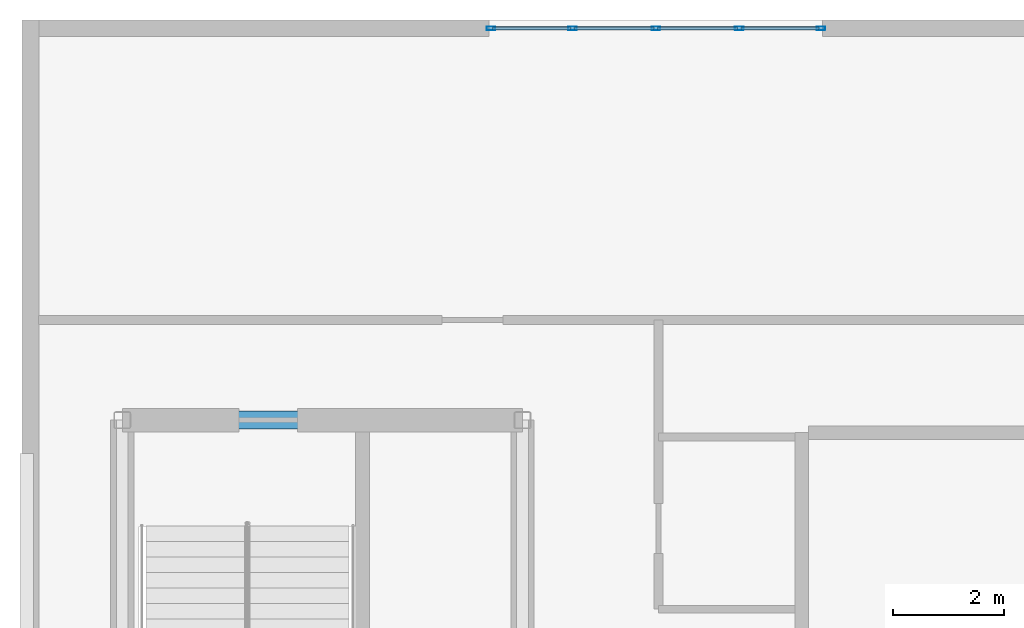
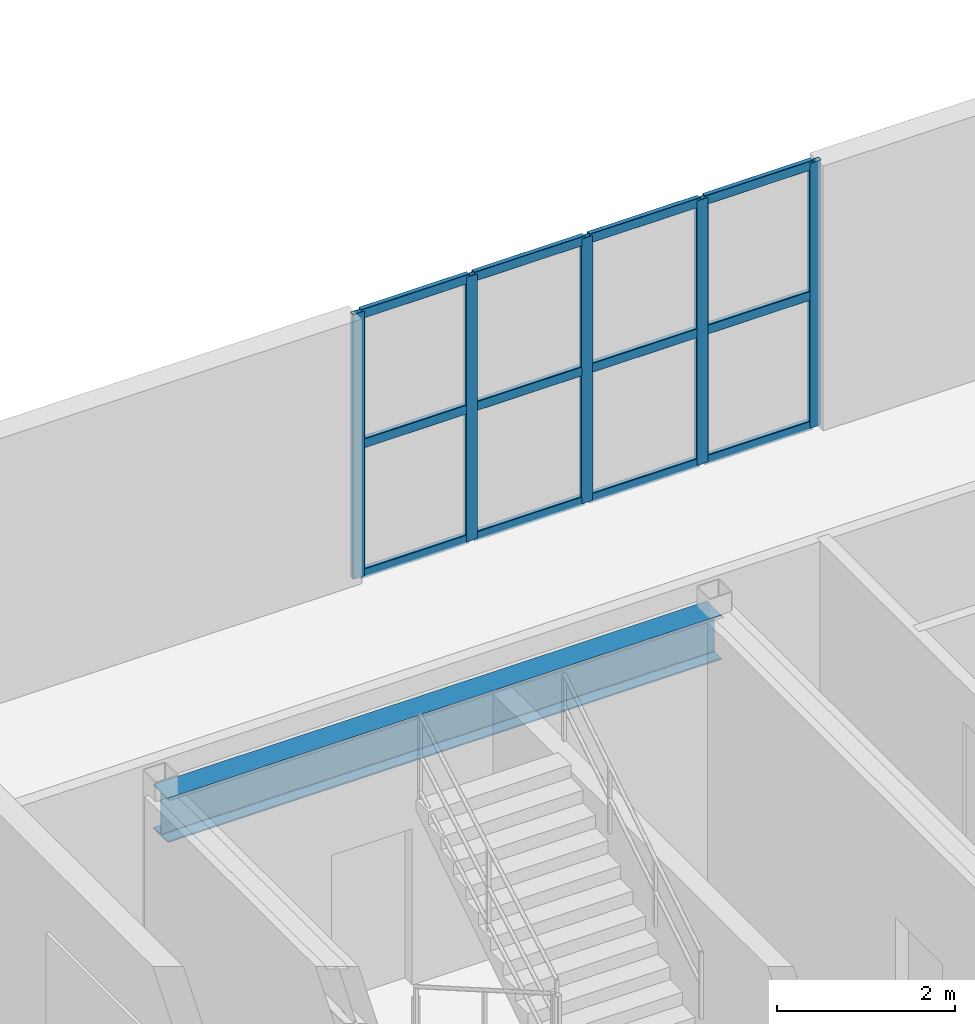
# One storey, part 3 of 7: 17 members, 1 beam, 1 element without a shape of its own.
"""IFC4 building model written with IfcOpenShell, lengths in metres."""

from ifc_helpers import new_model, entity, si_unit, converted_unit, direction, frame, origin_with_axes, origin_2d_with_axis, place, context, subcontext, project, spatial, hollow_rectangle, i_section, extrude, material, material_profile, profile_set, type_object, element, aggregate, save


model = new_model("IFC4")

# Units and contexts
model_context = context("Model", 3, precision=1e-05, world=origin_with_axes(), true_north=direction((0.0, 1.0)))
body_context = subcontext(model_context, "Body", "Model", "MODEL_VIEW")
ifc_project = project(units=[si_unit("LENGTHUNIT", "METRE"), si_unit("AREAUNIT", "SQUARE_METRE"), si_unit("VOLUMEUNIT", "CUBIC_METRE"), converted_unit("PLANEANGLEUNIT", "DEGREE", entity("IfcPlaneAngleMeasure", 0.017453292519943295), si_unit("PLANEANGLEUNIT", "RADIAN"), dimensions=[0, 0, 0, 0, 0, 0, 0]), si_unit("MASSUNIT", "GRAM", prefix="KILO"), si_unit("THERMODYNAMICTEMPERATUREUNIT", "KELVIN")], contexts=[model_context])

# Site, building, storey
site_placement = place(None, origin_with_axes())
site = spatial("IfcSite", under=ifc_project, at=site_placement, CompositionType="ELEMENT")
building_placement = place(site_placement, origin_with_axes())
building = spatial("IfcBuilding", under=site, at=building_placement, Name="Varnlund Millrace Tower", CompositionType="ELEMENT")
storey_placement = place(building_placement, frame((0.0, 0.0, 316.5), z_axis=(0.0, 0.0, 1.0), x_axis=(1.0, 0.0, 0.0)))
storey = spatial("IfcBuildingStorey", under=building, at=storey_placement, Name="L78", CompositionType="ELEMENT", Elevation=316.5)

# Curtain wall, members
ifc_material_1 = material(Name="Thermally broken architectural bronze curtain wall", Category="aluminium")
curtain_wall_type = type_object("IfcCurtainWallType", Name="Type-CW-Sys6-Observatory", PredefinedType="NOTDEFINED", material=ifc_material_1)
curtain_wall_placement = place(storey_placement, frame((18.0, 44.85, 0.0), z_axis=(0.0, 0.0, 1.0), x_axis=(1.0, 0.0, 0.0)))
curtain_wall = element("IfcCurtainWall", 1, at=curtain_wall_placement, inside=storey, type_object=curtain_wall_type, Name="Type-CW-Sys6-Observatory", PredefinedType="NOTDEFINED")
ifc_material_2 = material(Name="Architectural bronze aluminium alloy 6063-T6", Category="aluminium")
ifc_material_profile_1 = material_profile(ifc_material_2, hollow_rectangle(XDim=0.065, YDim=0.155, WallThickness=0.0045, InnerFilletRadius=0.004, OuterFilletRadius=0.009, at=origin_2d_with_axis()), Name="Architectural bronze aluminium alloy 6063-T6")
ifc_profile_set_1 = profile_set([ifc_material_profile_1], Name="Architectural bronze aluminium alloy 6063-T6")
member_type_1 = type_object("IfcMemberType", Name="Type-CW-Mullion-65X155", PredefinedType="MULLION", material=ifc_profile_set_1)
member_1_placement = place(storey_placement, frame((18.0325, 44.85, 0.0), z_axis=(0.0, 0.0, 1.0), x_axis=(0.0, 1.0, 0.0)))
member_1 = element("IfcMember", 2, at=member_1_placement, type_object=member_type_1, Name="CW-06 mullion 1", PredefinedType="MULLION", context=body_context, shape_type="SweptSolid", body=[
    extrude(hollow_rectangle(XDim=0.065, YDim=0.155, WallThickness=0.0045, InnerFilletRadius=0.004, OuterFilletRadius=0.009, at=origin_2d_with_axis()), origin_with_axes(), (0.0, 0.0, 1.0), 3.64),
])
member_2_placement = place(storey_placement, frame((19.5, 44.85, 0.0), z_axis=(0.0, 0.0, 1.0), x_axis=(0.0, 1.0, 0.0)))
member_2 = element("IfcMember", 3, at=member_2_placement, type_object=member_type_1, Name="CW-06 mullion 2", PredefinedType="MULLION", context=body_context, shape_type="SweptSolid", body=[
    extrude(hollow_rectangle(XDim=0.065, YDim=0.155, WallThickness=0.0045, InnerFilletRadius=0.004, OuterFilletRadius=0.009, at=origin_2d_with_axis()), origin_with_axes(), (0.0, 0.0, 1.0), 3.64),
])
member_3_placement = place(storey_placement, frame((21.0, 44.85, 0.0), z_axis=(0.0, 0.0, 1.0), x_axis=(0.0, 1.0, 0.0)))
member_3 = element("IfcMember", 4, at=member_3_placement, type_object=member_type_1, Name="CW-06 mullion 3", PredefinedType="MULLION", context=body_context, shape_type="SweptSolid", body=[
    extrude(hollow_rectangle(XDim=0.065, YDim=0.155, WallThickness=0.0045, InnerFilletRadius=0.004, OuterFilletRadius=0.009, at=origin_2d_with_axis()), origin_with_axes(), (0.0, 0.0, 1.0), 3.64),
])
member_4_placement = place(storey_placement, frame((22.5, 44.85, 0.0), z_axis=(0.0, 0.0, 1.0), x_axis=(0.0, 1.0, 0.0)))
member_4 = element("IfcMember", 5, at=member_4_placement, type_object=member_type_1, Name="CW-06 mullion 4", PredefinedType="MULLION", context=body_context, shape_type="SweptSolid", body=[
    extrude(hollow_rectangle(XDim=0.065, YDim=0.155, WallThickness=0.0045, InnerFilletRadius=0.004, OuterFilletRadius=0.009, at=origin_2d_with_axis()), origin_with_axes(), (0.0, 0.0, 1.0), 3.64),
])
member_5_placement = place(storey_placement, frame((23.9675, 44.85, 0.0), z_axis=(0.0, 0.0, 1.0), x_axis=(0.0, 1.0, 0.0)))
member_5 = element("IfcMember", 6, at=member_5_placement, type_object=member_type_1, Name="CW-06 mullion 5", PredefinedType="MULLION", context=body_context, shape_type="SweptSolid", body=[
    extrude(hollow_rectangle(XDim=0.065, YDim=0.155, WallThickness=0.0045, InnerFilletRadius=0.004, OuterFilletRadius=0.009, at=origin_2d_with_axis()), origin_with_axes(), (0.0, 0.0, 1.0), 3.64),
])
ifc_material_profile_2 = material_profile(ifc_material_2, hollow_rectangle(XDim=0.065, YDim=0.13, WallThickness=0.0045, InnerFilletRadius=0.004, OuterFilletRadius=0.009, at=origin_2d_with_axis()), Name="Architectural bronze aluminium alloy 6063-T6")
ifc_profile_set_2 = profile_set([ifc_material_profile_2], Name="Architectural bronze aluminium alloy 6063-T6")
member_type_2 = type_object("IfcMemberType", Name="Type-CW-Transom-65X130", PredefinedType="USERDEFINED", material=ifc_profile_set_2)
member_6_placement = place(storey_placement, frame((18.065, 44.85, 0.0325), z_axis=(1.0, 0.0, 0.0), x_axis=(0.0, 1.0, 0.0)))
member_6 = element("IfcMember", 7, at=member_6_placement, type_object=member_type_2, Name="CW-06 transom 1.1", ObjectType="TRANSOM", PredefinedType="USERDEFINED", context=body_context, shape_type="SweptSolid", body=[
    extrude(hollow_rectangle(XDim=0.065, YDim=0.13, WallThickness=0.0045, InnerFilletRadius=0.004, OuterFilletRadius=0.009, at=origin_2d_with_axis()), origin_with_axes(), (0.0, 0.0, 1.0), 1.4025),
])
member_7_placement = place(storey_placement, frame((18.065, 44.85, 1.82), z_axis=(1.0, 0.0, 0.0), x_axis=(0.0, 1.0, 0.0)))
member_7 = element("IfcMember", 8, at=member_7_placement, type_object=member_type_2, Name="CW-06 transom 1.2", ObjectType="TRANSOM", PredefinedType="USERDEFINED", context=body_context, shape_type="SweptSolid", body=[
    extrude(hollow_rectangle(XDim=0.065, YDim=0.13, WallThickness=0.0045, InnerFilletRadius=0.004, OuterFilletRadius=0.009, at=origin_2d_with_axis()), origin_with_axes(), (0.0, 0.0, 1.0), 1.4025),
])
member_8_placement = place(storey_placement, frame((18.065, 44.85, 3.6075), z_axis=(1.0, 0.0, 0.0), x_axis=(0.0, 1.0, 0.0)))
member_8 = element("IfcMember", 9, at=member_8_placement, type_object=member_type_2, Name="CW-06 transom 1.3", ObjectType="TRANSOM", PredefinedType="USERDEFINED", context=body_context, shape_type="SweptSolid", body=[
    extrude(hollow_rectangle(XDim=0.065, YDim=0.13, WallThickness=0.0045, InnerFilletRadius=0.004, OuterFilletRadius=0.009, at=origin_2d_with_axis()), origin_with_axes(), (0.0, 0.0, 1.0), 1.4025),
])
member_9_placement = place(storey_placement, frame((19.5325, 44.85, 0.0325), z_axis=(1.0, 0.0, 0.0), x_axis=(0.0, 1.0, 0.0)))
member_9 = element("IfcMember", 10, at=member_9_placement, type_object=member_type_2, Name="CW-06 transom 2.1", ObjectType="TRANSOM", PredefinedType="USERDEFINED", context=body_context, shape_type="SweptSolid", body=[
    extrude(hollow_rectangle(XDim=0.065, YDim=0.13, WallThickness=0.0045, InnerFilletRadius=0.004, OuterFilletRadius=0.009, at=origin_2d_with_axis()), origin_with_axes(), (0.0, 0.0, 1.0), 1.435),
])
member_10_placement = place(storey_placement, frame((19.5325, 44.85, 1.82), z_axis=(1.0, 0.0, 0.0), x_axis=(0.0, 1.0, 0.0)))
member_10 = element("IfcMember", 11, at=member_10_placement, type_object=member_type_2, Name="CW-06 transom 2.2", ObjectType="TRANSOM", PredefinedType="USERDEFINED", context=body_context, shape_type="SweptSolid", body=[
    extrude(hollow_rectangle(XDim=0.065, YDim=0.13, WallThickness=0.0045, InnerFilletRadius=0.004, OuterFilletRadius=0.009, at=origin_2d_with_axis()), origin_with_axes(), (0.0, 0.0, 1.0), 1.435),
])
member_11_placement = place(storey_placement, frame((19.5325, 44.85, 3.6075), z_axis=(1.0, 0.0, 0.0), x_axis=(0.0, 1.0, 0.0)))
member_11 = element("IfcMember", 12, at=member_11_placement, type_object=member_type_2, Name="CW-06 transom 2.3", ObjectType="TRANSOM", PredefinedType="USERDEFINED", context=body_context, shape_type="SweptSolid", body=[
    extrude(hollow_rectangle(XDim=0.065, YDim=0.13, WallThickness=0.0045, InnerFilletRadius=0.004, OuterFilletRadius=0.009, at=origin_2d_with_axis()), origin_with_axes(), (0.0, 0.0, 1.0), 1.435),
])
member_12_placement = place(storey_placement, frame((21.0325, 44.85, 0.0325), z_axis=(1.0, 0.0, 0.0), x_axis=(0.0, 1.0, 0.0)))
member_12 = element("IfcMember", 13, at=member_12_placement, type_object=member_type_2, Name="CW-06 transom 3.1", ObjectType="TRANSOM", PredefinedType="USERDEFINED", context=body_context, shape_type="SweptSolid", body=[
    extrude(hollow_rectangle(XDim=0.065, YDim=0.13, WallThickness=0.0045, InnerFilletRadius=0.004, OuterFilletRadius=0.009, at=origin_2d_with_axis()), origin_with_axes(), (0.0, 0.0, 1.0), 1.435),
])
member_13_placement = place(storey_placement, frame((21.0325, 44.85, 1.82), z_axis=(1.0, 0.0, 0.0), x_axis=(0.0, 1.0, 0.0)))
member_13 = element("IfcMember", 14, at=member_13_placement, type_object=member_type_2, Name="CW-06 transom 3.2", ObjectType="TRANSOM", PredefinedType="USERDEFINED", context=body_context, shape_type="SweptSolid", body=[
    extrude(hollow_rectangle(XDim=0.065, YDim=0.13, WallThickness=0.0045, InnerFilletRadius=0.004, OuterFilletRadius=0.009, at=origin_2d_with_axis()), origin_with_axes(), (0.0, 0.0, 1.0), 1.435),
])
member_14_placement = place(storey_placement, frame((21.0325, 44.85, 3.6075), z_axis=(1.0, 0.0, 0.0), x_axis=(0.0, 1.0, 0.0)))
member_14 = element("IfcMember", 15, at=member_14_placement, type_object=member_type_2, Name="CW-06 transom 3.3", ObjectType="TRANSOM", PredefinedType="USERDEFINED", context=body_context, shape_type="SweptSolid", body=[
    extrude(hollow_rectangle(XDim=0.065, YDim=0.13, WallThickness=0.0045, InnerFilletRadius=0.004, OuterFilletRadius=0.009, at=origin_2d_with_axis()), origin_with_axes(), (0.0, 0.0, 1.0), 1.435),
])
member_15_placement = place(storey_placement, frame((22.5325, 44.85, 0.0325), z_axis=(1.0, 0.0, 0.0), x_axis=(0.0, 1.0, 0.0)))
member_15 = element("IfcMember", 16, at=member_15_placement, type_object=member_type_2, Name="CW-06 transom 4.1", ObjectType="TRANSOM", PredefinedType="USERDEFINED", context=body_context, shape_type="SweptSolid", body=[
    extrude(hollow_rectangle(XDim=0.065, YDim=0.13, WallThickness=0.0045, InnerFilletRadius=0.004, OuterFilletRadius=0.009, at=origin_2d_with_axis()), origin_with_axes(), (0.0, 0.0, 1.0), 1.4025),
])
member_16_placement = place(storey_placement, frame((22.5325, 44.85, 1.82), z_axis=(1.0, 0.0, 0.0), x_axis=(0.0, 1.0, 0.0)))
member_16 = element("IfcMember", 17, at=member_16_placement, type_object=member_type_2, Name="CW-06 transom 4.2", ObjectType="TRANSOM", PredefinedType="USERDEFINED", context=body_context, shape_type="SweptSolid", body=[
    extrude(hollow_rectangle(XDim=0.065, YDim=0.13, WallThickness=0.0045, InnerFilletRadius=0.004, OuterFilletRadius=0.009, at=origin_2d_with_axis()), origin_with_axes(), (0.0, 0.0, 1.0), 1.4025),
])
member_17_placement = place(storey_placement, frame((22.5325, 44.85, 3.6075), z_axis=(1.0, 0.0, 0.0), x_axis=(0.0, 1.0, 0.0)))
member_17 = element("IfcMember", 18, at=member_17_placement, type_object=member_type_2, Name="CW-06 transom 4.3", ObjectType="TRANSOM", PredefinedType="USERDEFINED", context=body_context, shape_type="SweptSolid", body=[
    extrude(hollow_rectangle(XDim=0.065, YDim=0.13, WallThickness=0.0045, InnerFilletRadius=0.004, OuterFilletRadius=0.009, at=origin_2d_with_axis()), origin_with_axes(), (0.0, 0.0, 1.0), 1.4025),
])
aggregate(curtain_wall, [member_1, member_2, member_3, member_4, member_5, member_6, member_7, member_8, member_9, member_10, member_11, member_12, member_13, member_14, member_15, member_16, member_17])

# Beam
ifc_material_3 = material(Name="Steel ASTM A992 Grade 50", Category="steel")
ifc_material_profile_3 = material_profile(ifc_material_3, i_section(OverallWidth=0.324, OverallDepth=0.611, WebThickness=0.0127, FlangeThickness=0.0191, FilletRadius=0.016, at=origin_2d_with_axis()), Name="Steel ASTM A992 Grade 50")
ifc_profile_set_3 = profile_set([ifc_material_profile_3], Name="Steel ASTM A992 Grade 50")
beam_type = type_object("IfcBeamType", Name="Type-Girder-W24X104", PredefinedType="USERDEFINED", material=ifc_profile_set_3)
beam_placement = place(storey_placement, frame((11.4, 37.8, 3.3345), z_axis=(1.0, 0.0, 0.0), x_axis=(0.0, 1.0, 0.0)))
element("IfcBeam", 19, at=beam_placement, inside=storey, type_object=beam_type, Name="Type-Girder-W24X104", ObjectType="GIRDER", PredefinedType="USERDEFINED", context=body_context, shape_type="SweptSolid", body=[
    extrude(i_section(OverallWidth=0.324, OverallDepth=0.611, WebThickness=0.0127, FlangeThickness=0.0191, FilletRadius=0.016, at=origin_2d_with_axis()), origin_with_axes(), (0.0, 0.0, 1.0), 7.2),
])

save(model, "model.ifc")
